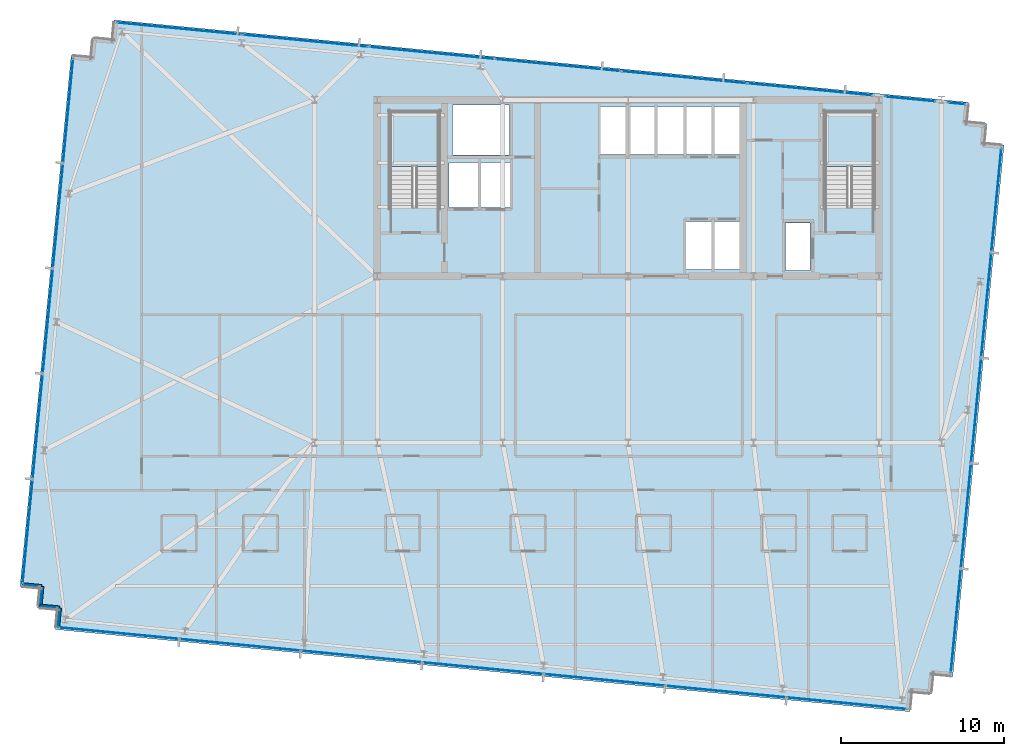
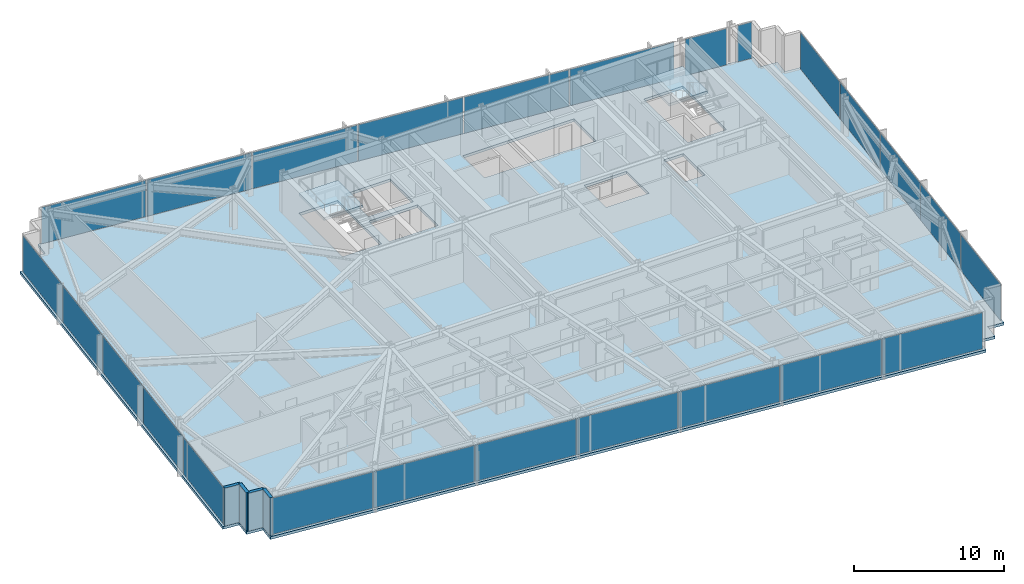
# One storey, part 28 of 37: 25 plates, 4 walls, 3 slabs, 8 elements without a shape of their own.
"""IFC4 building model written with IfcOpenShell, lengths in metres."""

from ifc_helpers import new_model, si_unit, direction, frame, frame_2d, origin, origin_2d, place, context, subcontext, project, spatial, polyline, rectangle, outline, extrude, material, layer, layer_set, type_object, element, aggregate, save


model = new_model("IFC4")

# Units and contexts
model_context = context("Model", 3, precision=1e-05, world=origin(), true_north=direction((0.0, 1.0)))
body_context = subcontext(model_context, "Body", "Model", "MODEL_VIEW")
ifc_project = project(units=[si_unit("LENGTHUNIT", "METRE"), si_unit("AREAUNIT", "SQUARE_METRE"), si_unit("VOLUMEUNIT", "CUBIC_METRE"), si_unit("PLANEANGLEUNIT", "RADIAN"), si_unit("MASSUNIT", "GRAM", prefix="KILO")], contexts=[model_context])

# Site, building, storey
site_placement = place(None, origin())
site = spatial("IfcSite", under=ifc_project, at=site_placement, CompositionType="ELEMENT")
building_placement = place(site_placement, origin())
building = spatial("IfcBuilding", under=site, at=building_placement, Name="Yelkora Congress Tower", CompositionType="ELEMENT")
storey_placement = place(building_placement, frame((0.0, 0.0, 168.800048828125)))
storey = spatial("IfcBuildingStorey", under=building, at=storey_placement, Name="L46", CompositionType="ELEMENT", Elevation=168.800048828125)

# Curtain wall, plates
ifc_material_1 = material(Name="Anodised aluminium and insulated glass", Category="aluminium")
curtain_wall_type = type_object("IfcCurtainWallType", Name="CW-SYS-B3", PredefinedType="NOTDEFINED", material=ifc_material_1)
curtain_wall_1_placement = place(storey_placement, origin())
curtain_wall_1 = element("IfcCurtainWall", 1, at=curtain_wall_1_placement, inside=storey, type_object=curtain_wall_type, Name="L46 Unitised Curtain Wall 5", PredefinedType="NOTDEFINED")
ifc_material_2 = material(Name="Acoustic laminated hotel glass unit B3", Category="glass")
ifc_layer_1 = layer(ifc_material_2, 0.0419921875)
ifc_layer_set_1 = layer_set([ifc_layer_1], Name="Acoustic laminated hotel glass unit B3")
plate_type = type_object("IfcPlateType", Name="PLT-PN-B3", PredefinedType="CURTAIN_PANEL", material=ifc_layer_set_1)
plate_1_placement = place(storey_placement, frame((1.61572265625, 19.75244140625, 0.06005859375), z_axis=(0.0, 0.0, 1.0), x_axis=(0.095845294465, 0.995396242473, 0.0)))
plate_1 = element("IfcPlate", 2, at=plate_1_placement, type_object=plate_type, Name="CW-B3 panel 1.1", PredefinedType="CURTAIN_PANEL", context=body_context, shape_type="SweptSolid", body=[
    extrude(rectangle(XDim=6.37890625, YDim=0.0419921875, at=origin_2d()), origin(), (0.0, 0.0, 1.0), 2.9599609375),
])
plate_2_placement = place(storey_placement, frame((2.235595703125, 26.189208984375, 0.06005859375), z_axis=(0.0, 0.0, 1.0), x_axis=(0.095845294465, 0.995396242473, 0.0)))
plate_2 = element("IfcPlate", 3, at=plate_2_placement, type_object=plate_type, Name="CW-B3 panel 2.1", PredefinedType="CURTAIN_PANEL", context=body_context, shape_type="SweptSolid", body=[
    extrude(rectangle(XDim=6.4140625, YDim=0.0419921875, at=origin_2d()), origin(), (0.0, 0.0, 1.0), 2.9599609375),
])
plate_3_placement = place(storey_placement, frame((2.85693359375, 32.643310546875, 0.06005859375), z_axis=(0.0, 0.0, 1.0), x_axis=(0.095845294465, 0.995396242473, 0.0)))
plate_3 = element("IfcPlate", 4, at=plate_3_placement, type_object=plate_type, Name="CW-B3 panel 3.1", PredefinedType="CURTAIN_PANEL", context=body_context, shape_type="SweptSolid", body=[
    extrude(rectangle(XDim=6.4140625, YDim=0.0419921875, at=origin_2d()), origin(), (0.0, 0.0, 1.0), 2.9599609375),
])
plate_4_placement = place(storey_placement, frame((3.478515625, 39.097412109375, 0.06005859375), z_axis=(0.0, 0.0, 1.0), x_axis=(0.095845294465, 0.995396242473, 0.0)))
plate_4 = element("IfcPlate", 5, at=plate_4_placement, type_object=plate_type, Name="CW-B3 panel 4.1", PredefinedType="CURTAIN_PANEL", context=body_context, shape_type="SweptSolid", body=[
    extrude(rectangle(XDim=6.4140625, YDim=0.0419921875, at=origin_2d()), origin(), (0.0, 0.0, 1.0), 2.9599609375),
])
plate_5_placement = place(storey_placement, frame((4.09814453125, 45.5341796875, 0.06005859375), z_axis=(0.0, 0.0, 1.0), x_axis=(0.095845294465, 0.995396242473, 0.0)))
plate_5 = element("IfcPlate", 6, at=plate_5_placement, type_object=plate_type, Name="CW-B3 panel 5.1", PredefinedType="CURTAIN_PANEL", context=body_context, shape_type="SweptSolid", body=[
    extrude(rectangle(XDim=6.37890625, YDim=0.0419921875, at=origin_2d()), origin(), (0.0, 0.0, 1.0), 2.9599609375),
])
aggregate(curtain_wall_1, [plate_1, plate_2, plate_3, plate_4, plate_5])

curtain_wall_2_placement = place(storey_placement, origin())
curtain_wall_2 = element("IfcCurtainWall", 7, at=curtain_wall_2_placement, inside=storey, type_object=curtain_wall_type, Name="L46 Unitised Curtain Wall 10 (1)", PredefinedType="NOTDEFINED")
plate_6_placement = place(storey_placement, frame((10.913818359375, 50.5634765625, 0.06005859375), z_axis=(0.0, 0.0, 1.0), x_axis=(0.995396293823, -0.095844761168, 0.0)))
plate_6 = element("IfcPlate", 8, at=plate_6_placement, type_object=plate_type, Name="CW-B3 panel 1.1", PredefinedType="CURTAIN_PANEL", context=body_context, shape_type="SweptSolid", body=[
    extrude(rectangle(XDim=7.664306640625, YDim=0.0419921875, at=origin_2d()), origin(), (0.0, 0.0, 1.0), 2.9599609375),
])
plate_7_placement = place(storey_placement, frame((18.6298828125, 49.820556640625, 0.06005859375), z_axis=(0.0, 0.0, 1.0), x_axis=(0.995396293823, -0.095844761168, 0.0)))
plate_7 = element("IfcPlate", 9, at=plate_7_placement, type_object=plate_type, Name="CW-B3 panel 2.1", PredefinedType="CURTAIN_PANEL", context=body_context, shape_type="SweptSolid", body=[
    extrude(rectangle(XDim=7.69921875, YDim=0.0419921875, at=origin_2d()), origin(), (0.0, 0.0, 1.0), 2.9599609375),
])
plate_8_placement = place(storey_placement, frame((26.363525390625, 49.075927734375, 0.06005859375), z_axis=(0.0, 0.0, 1.0), x_axis=(0.995396293823, -0.095844761168, 0.0)))
plate_8 = element("IfcPlate", 10, at=plate_8_placement, type_object=plate_type, Name="CW-B3 panel 3.1", PredefinedType="CURTAIN_PANEL", context=body_context, shape_type="SweptSolid", body=[
    extrude(rectangle(XDim=7.69921875, YDim=0.0419921875, at=origin_2d()), origin(), (0.0, 0.0, 1.0), 2.9599609375),
])
plate_9_placement = place(storey_placement, frame((34.09716796875, 48.331298828125, 0.06005859375), z_axis=(0.0, 0.0, 1.0), x_axis=(0.995396293823, -0.095844761168, 0.0)))
plate_9 = element("IfcPlate", 11, at=plate_9_placement, type_object=plate_type, Name="CW-B3 panel 4.1", PredefinedType="CURTAIN_PANEL", context=body_context, shape_type="SweptSolid", body=[
    extrude(rectangle(XDim=7.69921875, YDim=0.0419921875, at=origin_2d()), origin(), (0.0, 0.0, 1.0), 2.9599609375),
])
plate_10_placement = place(storey_placement, frame((41.83056640625, 47.586669921875, 0.06005859375), z_axis=(0.0, 0.0, 1.0), x_axis=(0.995396293823, -0.095844761168, 0.0)))
plate_10 = element("IfcPlate", 12, at=plate_10_placement, type_object=plate_type, Name="CW-B3 panel 5.1", PredefinedType="CURTAIN_PANEL", context=body_context, shape_type="SweptSolid", body=[
    extrude(rectangle(XDim=7.69921875, YDim=0.0419921875, at=origin_2d()), origin(), (0.0, 0.0, 1.0), 2.9599609375),
])
plate_11_placement = place(storey_placement, frame((49.546875, 46.84375, 0.06005859375), z_axis=(0.0, 0.0, 1.0), x_axis=(0.995396293823, -0.095844761168, 0.0)))
plate_11 = element("IfcPlate", 13, at=plate_11_placement, type_object=plate_type, Name="CW-B3 panel 6.1", PredefinedType="CURTAIN_PANEL", context=body_context, shape_type="SweptSolid", body=[
    extrude(rectangle(XDim=7.664306640625, YDim=0.0419921875, at=origin_2d()), origin(), (0.0, 0.0, 1.0), 2.9599609375),
])
aggregate(curtain_wall_2, [plate_6, plate_7, plate_8, plate_9, plate_10, plate_11])

# Curtain wall, plate
curtain_wall_3_placement = place(storey_placement, origin())
curtain_wall_3 = element("IfcCurtainWall", 14, at=curtain_wall_3_placement, inside=storey, type_object=curtain_wall_type, Name="L46 Unitised Curtain Wall 10 (2)", PredefinedType="NOTDEFINED")
plate_12_placement = place(storey_placement, frame((55.679931640625, 46.253173828125, 0.06005859375), z_axis=(0.0, 0.0, 1.0), x_axis=(0.995395952188, -0.095848309157, 0.0)))
plate_12 = element("IfcPlate", 15, at=plate_12_placement, type_object=plate_type, Name="CW-B3 panel 1.1", PredefinedType="CURTAIN_PANEL", context=body_context, shape_type="SweptSolid", body=[
    extrude(rectangle(XDim=3.056640625, YDim=0.0419921875, at=origin_2d()), origin(), (0.0, 0.0, 1.0), 2.9599609375),
])
aggregate(curtain_wall_3, [plate_12])

curtain_wall_4_placement = place(storey_placement, origin())
curtain_wall_4 = element("IfcCurtainWall", 16, at=curtain_wall_4_placement, inside=storey, type_object=curtain_wall_type, Name="L46 Unitised Curtain Wall 10 (3)", PredefinedType="NOTDEFINED")
plate_13_placement = place(storey_placement, frame((58.518798828125, 45.979736328125, 0.06005859375), z_axis=(0.0, 0.0, 1.0), x_axis=(0.995395569658, -0.095852281686, 0.0)))
plate_13 = element("IfcPlate", 17, at=plate_13_placement, type_object=plate_type, Name="CW-B3 panel 1.1", PredefinedType="CURTAIN_PANEL", context=body_context, shape_type="SweptSolid", body=[
    extrude(rectangle(XDim=1.045166015625, YDim=0.0419921875, at=origin_2d()), origin(), (0.0, 0.0, 1.0), 2.9599609375),
])
aggregate(curtain_wall_4, [plate_13])

# Curtain wall, plates
curtain_wall_5_placement = place(storey_placement, origin())
curtain_wall_5 = element("IfcCurtainWall", 18, at=curtain_wall_5_placement, inside=storey, type_object=curtain_wall_type, Name="L46 Unitised Curtain Wall 15", PredefinedType="NOTDEFINED")
plate_14_placement = place(storey_placement, frame((60.955322265625, 40.0595703125, 0.06005859375), z_axis=(0.0, 0.0, 1.0), x_axis=(-0.095841944023, -0.995396565076, 0.0)))
plate_14 = element("IfcPlate", 19, at=plate_14_placement, type_object=plate_type, Name="CW-B3 panel 1.1", PredefinedType="CURTAIN_PANEL", context=body_context, shape_type="SweptSolid", body=[
    extrude(rectangle(XDim=6.37890625, YDim=0.0419921875, at=origin_2d()), origin(), (0.0, 0.0, 1.0), 2.9599609375),
])
plate_15_placement = place(storey_placement, frame((60.33544921875, 33.622802734375, 0.06005859375), z_axis=(0.0, 0.0, 1.0), x_axis=(-0.095841944023, -0.995396565076, 0.0)))
plate_15 = element("IfcPlate", 20, at=plate_15_placement, type_object=plate_type, Name="CW-B3 panel 2.1", PredefinedType="CURTAIN_PANEL", context=body_context, shape_type="SweptSolid", body=[
    extrude(rectangle(XDim=6.4140625, YDim=0.0419921875, at=origin_2d()), origin(), (0.0, 0.0, 1.0), 2.9599609375),
])
plate_16_placement = place(storey_placement, frame((59.714111328125, 27.168701171875, 0.06005859375), z_axis=(0.0, 0.0, 1.0), x_axis=(-0.095841944023, -0.995396565076, 0.0)))
plate_16 = element("IfcPlate", 21, at=plate_16_placement, type_object=plate_type, Name="CW-B3 panel 3.1", PredefinedType="CURTAIN_PANEL", context=body_context, shape_type="SweptSolid", body=[
    extrude(rectangle(XDim=6.4140625, YDim=0.0419921875, at=origin_2d()), origin(), (0.0, 0.0, 1.0), 2.9599609375),
])
plate_17_placement = place(storey_placement, frame((59.092529296875, 20.71435546875, 0.06005859375), z_axis=(0.0, 0.0, 1.0), x_axis=(-0.095841944023, -0.995396565076, 0.0)))
plate_17 = element("IfcPlate", 22, at=plate_17_placement, type_object=plate_type, Name="CW-B3 panel 4.1", PredefinedType="CURTAIN_PANEL", context=body_context, shape_type="SweptSolid", body=[
    extrude(rectangle(XDim=6.4140625, YDim=0.0419921875, at=origin_2d()), origin(), (0.0, 0.0, 1.0), 2.9599609375),
])
plate_18_placement = place(storey_placement, frame((58.472900390625, 14.277587890625, 0.06005859375), z_axis=(0.0, 0.0, 1.0), x_axis=(-0.095841944023, -0.995396565076, 0.0)))
plate_18 = element("IfcPlate", 23, at=plate_18_placement, type_object=plate_type, Name="CW-B3 panel 5.1", PredefinedType="CURTAIN_PANEL", context=body_context, shape_type="SweptSolid", body=[
    extrude(rectangle(XDim=6.37890625, YDim=0.0419921875, at=origin_2d()), origin(), (0.0, 0.0, 1.0), 2.9599609375),
])
aggregate(curtain_wall_5, [plate_14, plate_15, plate_16, plate_17, plate_18])

curtain_wall_6_placement = place(storey_placement, origin())
curtain_wall_6 = element("IfcCurtainWall", 24, at=curtain_wall_6_placement, inside=storey, type_object=curtain_wall_type, Name="L46 Unitised Curtain Wall 20", PredefinedType="NOTDEFINED")
plate_19_placement = place(storey_placement, frame((51.803955078125, 9.234130859375, 0.06005859375), z_axis=(0.0, 0.0, 1.0), x_axis=(-0.995396301573, 0.095844680679, 0.0)))
plate_19 = element("IfcPlate", 25, at=plate_19_placement, type_object=plate_type, Name="CW-B3 panel 1.1", PredefinedType="CURTAIN_PANEL", context=body_context, shape_type="SweptSolid", body=[
    extrude(rectangle(XDim=7.369384765625, YDim=0.0419921875, at=origin_2d()), origin(), (0.0, 0.0, 1.0), 2.9599609375),
])
plate_20_placement = place(storey_placement, frame((44.381591796875, 9.948974609375, 0.06005859375), z_axis=(0.0, 0.0, 1.0), x_axis=(-0.995396301573, 0.095844680679, 0.0)))
plate_20 = element("IfcPlate", 26, at=plate_20_placement, type_object=plate_type, Name="CW-B3 panel 2.1", PredefinedType="CURTAIN_PANEL", context=body_context, shape_type="SweptSolid", body=[
    extrude(rectangle(XDim=7.404296875, YDim=0.0419921875, at=origin_2d()), origin(), (0.0, 0.0, 1.0), 2.9599609375),
])
plate_21_placement = place(storey_placement, frame((36.941650390625, 10.665283203125, 0.06005859375), z_axis=(0.0, 0.0, 1.0), x_axis=(-0.995396301573, 0.095844680679, 0.0)))
plate_21 = element("IfcPlate", 27, at=plate_21_placement, type_object=plate_type, Name="CW-B3 panel 3.1", PredefinedType="CURTAIN_PANEL", context=body_context, shape_type="SweptSolid", body=[
    extrude(rectangle(XDim=7.404296875, YDim=0.0419921875, at=origin_2d()), origin(), (0.0, 0.0, 1.0), 2.9599609375),
])
plate_22_placement = place(storey_placement, frame((29.501708984375, 11.381591796875, 0.06005859375), z_axis=(0.0, 0.0, 1.0), x_axis=(-0.995396301573, 0.095844680679, 0.0)))
plate_22 = element("IfcPlate", 28, at=plate_22_placement, type_object=plate_type, Name="CW-B3 panel 4.1", PredefinedType="CURTAIN_PANEL", context=body_context, shape_type="SweptSolid", body=[
    extrude(rectangle(XDim=7.404296875, YDim=0.0419921875, at=origin_2d()), origin(), (0.0, 0.0, 1.0), 2.9599609375),
])
plate_23_placement = place(storey_placement, frame((22.06201171875, 12.097900390625, 0.06005859375), z_axis=(0.0, 0.0, 1.0), x_axis=(-0.995396301573, 0.095844680679, 0.0)))
plate_23 = element("IfcPlate", 29, at=plate_23_placement, type_object=plate_type, Name="CW-B3 panel 5.1", PredefinedType="CURTAIN_PANEL", context=body_context, shape_type="SweptSolid", body=[
    extrude(rectangle(XDim=7.404296875, YDim=0.0419921875, at=origin_2d()), origin(), (0.0, 0.0, 1.0), 2.9599609375),
])
plate_24_placement = place(storey_placement, frame((14.6220703125, 12.814453125, 0.06005859375), z_axis=(0.0, 0.0, 1.0), x_axis=(-0.995396301573, 0.095844680679, 0.0)))
plate_24 = element("IfcPlate", 30, at=plate_24_placement, type_object=plate_type, Name="CW-B3 panel 6.1", PredefinedType="CURTAIN_PANEL", context=body_context, shape_type="SweptSolid", body=[
    extrude(rectangle(XDim=7.404296875, YDim=0.0419921875, at=origin_2d()), origin(), (0.0, 0.0, 1.0), 2.9599609375),
])
plate_25_placement = place(storey_placement, frame((7.199462890625, 13.529052734375, 0.06005859375), z_axis=(0.0, 0.0, 1.0), x_axis=(-0.995396301573, 0.095844680679, 0.0)))
plate_25 = element("IfcPlate", 31, at=plate_25_placement, type_object=plate_type, Name="CW-B3 panel 7.1", PredefinedType="CURTAIN_PANEL", context=body_context, shape_type="SweptSolid", body=[
    extrude(rectangle(XDim=7.369384765625, YDim=0.0419921875, at=origin_2d()), origin(), (0.0, 0.0, 1.0), 2.9599609375),
])
aggregate(curtain_wall_6, [plate_19, plate_20, plate_21, plate_22, plate_23, plate_24, plate_25])

# Stair, slab
ifc_material_3 = material(Name="Concrete C40/50", Category="concrete")
stair_type = type_object("IfcStairType", Name="STAIR-HT-1420-R20-165", PredefinedType="HALF_TURN_STAIR", material=ifc_material_3)
stair_1_placement = place(storey_placement, origin())
stair_1 = element("IfcStair", 32, at=stair_1_placement, inside=storey, type_object=stair_type, Name="West Core Protected Exit Stair ST-01 (L46)", PredefinedType="HALF_TURN_STAIR")
ifc_layer_2 = layer(ifc_material_3, 0.219970703125)
ifc_layer_set_2 = layer_set([ifc_layer_2], Name="Concrete C40/50")
slab_type_1 = type_object("IfcSlabType", Name="SLAB-LANDING-220", PredefinedType="LANDING", material=ifc_layer_set_2)
slab_1_placement = place(storey_placement, frame((0.0, 0.0, 1.429931640625)))
slab_1 = element("IfcSlab", 33, at=slab_1_placement, type_object=slab_type_1, Name="ST-01 L46 Half Landing 1", PredefinedType="LANDING", context=body_context, shape_type="SweptSolid", body=[
    extrude(outline(polyline([(26.820068359375, 42.1201171875), (26.820068359375, 45.469970703125), (23.820068359375, 45.469970703125), (23.820068359375, 42.1201171875), (26.820068359375, 42.1201171875)])), origin(), (0.0, 0.0, 1.0), 0.219970703125),
])
aggregate(stair_1, [slab_1])

stair_2_placement = place(storey_placement, origin())
stair_2 = element("IfcStair", 34, at=stair_2_placement, inside=storey, type_object=stair_type, Name="East Core Protected Exit Stair ST-02 (L46)", PredefinedType="HALF_TURN_STAIR")
slab_2_placement = place(storey_placement, frame((0.0, 0.0, 1.429931640625)))
slab_2 = element("IfcSlab", 35, at=slab_2_placement, type_object=slab_type_1, Name="ST-02 L46 Half Landing 1", PredefinedType="LANDING", context=body_context, shape_type="SweptSolid", body=[
    extrude(outline(polyline([(53.4599609375, 42.1201171875), (53.4599609375, 45.469970703125), (50.4599609375, 45.469970703125), (50.4599609375, 42.1201171875), (53.4599609375, 42.1201171875)])), origin(), (0.0, 0.0, 1.0), 0.219970703125),
])
aggregate(stair_2, [slab_2])

# Slab
ifc_layer_3 = layer(ifc_material_3, 0.219970703125)
ifc_layer_set_3 = layer_set([ifc_layer_3], Name="Concrete C40/50")
slab_type_2 = type_object("IfcSlabType", Name="SLAB-TWR-220", PredefinedType="FLOOR", material=ifc_layer_set_3)
slab_3_placement = place(storey_placement, frame((0.0, 0.0, -0.219970703125)))
element("IfcSlab", 36, at=slab_3_placement, inside=storey, type_object=slab_type_2, Name="L46 Structural Floor Slab", PredefinedType="FLOOR", context=body_context, shape_type="SweptSolid", body=[
    extrude(outline(polyline([(3.309326171875, 13.762939453125), (55.667236328125, 8.721435546875), (55.7822265625, 9.916015625), (56.976806640625, 9.801025390625), (57.091796875, 10.99560546875), (58.286376953125, 10.88037109375), (61.42041015625, 43.429931640625), (60.225830078125, 43.544921875), (60.341064453125, 44.739501953125), (59.146484375, 44.8544921875), (59.261474609375, 46.048828125), (6.90380859375, 51.09033203125), (6.78857421875, 49.89599609375), (5.59423828125, 50.010986328125), (5.479248046875, 48.81640625), (4.28466796875, 48.931396484375), (1.150390625, 16.382080078125), (2.344970703125, 16.26708984375), (2.22998046875, 15.072509765625), (3.424560546875, 14.95751953125), (3.309326171875, 13.762939453125)]), holes=[polyline([(23.820068359375, 39.6298828125), (26.820068359375, 39.6298828125), (26.820068359375, 45.469970703125), (23.820068359375, 45.469970703125), (23.820068359375, 39.6298828125)]), polyline([(50.4599609375, 39.6298828125), (53.4599609375, 39.6298828125), (53.4599609375, 45.469970703125), (50.4599609375, 45.469970703125), (50.4599609375, 39.6298828125)]), polyline([(48.050048828125, 35.75), (49.550048828125, 35.75), (49.550048828125, 38.64990234375), (48.050048828125, 38.64990234375), (48.050048828125, 35.75)]), polyline([(36.64990234375, 42.85009765625), (45.25, 42.85009765625), (45.25, 45.800048828125), (36.64990234375, 45.800048828125), (36.64990234375, 42.85009765625)]), polyline([(41.949951171875, 35.800048828125), (45.25, 35.800048828125), (45.25, 38.75), (41.949951171875, 38.75), (41.949951171875, 35.800048828125)]), polyline([(27.419921875, 39.60009765625), (31.179931640625, 39.60009765625), (31.179931640625, 42.35009765625), (27.419921875, 42.35009765625), (27.419921875, 39.60009765625)]), polyline([(27.64990234375, 42.820068359375), (31.1201171875, 42.820068359375), (31.1201171875, 45.8798828125), (27.64990234375, 45.8798828125), (27.64990234375, 42.820068359375)])]), origin(), (0.0, 0.0, 1.0), 0.219970703125),
])

# Walls
ifc_layer_4 = layer(ifc_material_3, 0.239990234375)
ifc_layer_set_4 = layer_set([ifc_layer_4], Name="Concrete C40/50")
wall_type = type_object("IfcWallType", Name="WALL-EXT-LIMESTONE-240", PredefinedType="SOLIDWALL", material=ifc_layer_set_4)
for number, where, z_axis, x_axis, name in (
    (37, (3.462158203125, 13.888916015625, 0.0), (0.0, 0.0, 1.0), (0.096018626938, 0.995379537303, 0.0), "L46 Serrated Corner Limestone Pier 1"),
    (38, (3.577392578125, 15.08349609375, 0.0), (0.0, 0.0, 1.0), (-0.995398960025, 0.095817067274, 0.0), "L46 Serrated Corner Limestone Pier 2"),
):
    element("IfcWall", number, at=place(storey_placement, frame(where, z_axis=z_axis, x_axis=x_axis)), inside=storey, type_object=wall_type, Name=name, PredefinedType="SOLIDWALL", context=body_context, shape_type="SweptSolid", body=[
        extrude(rectangle(XDim=1.2001953125, YDim=0.239990234375, at=frame_2d((0.60009765625, 0.0))), origin(), (0.0, 0.0, 1.0), 3.079833984375),
    ])
wall_1_placement = place(storey_placement, frame((2.3828125, 15.198486328125, 0.0), z_axis=(0.0, 0.0, 1.0), x_axis=(0.095836473879, 0.995397091755, 0.0)))
element("IfcWall", 39, at=wall_1_placement, inside=storey, type_object=wall_type, Name="L46 Serrated Corner Limestone Pier 3", PredefinedType="SOLIDWALL", context=body_context, shape_type="SweptSolid", body=[
    extrude(rectangle(XDim=1.199951171875, YDim=0.239990234375, at=frame_2d((0.60009765625, 0.0))), origin(), (0.0, 0.0, 1.0), 3.079833984375),
])
wall_2_placement = place(storey_placement, frame((2.497802734375, 16.392822265625, 0.0), z_axis=(0.0, 0.0, 1.0), x_axis=(-0.995398960025, 0.095817067274, 0.0)))
element("IfcWall", 40, at=wall_2_placement, inside=storey, type_object=wall_type, Name="L46 Serrated Corner Limestone Pier 4", PredefinedType="SOLIDWALL", context=body_context, shape_type="SweptSolid", body=[
    extrude(rectangle(XDim=1.2001953125, YDim=0.239990234375, at=frame_2d((0.60009765625, 0.0))), origin(), (0.0, 0.0, 1.0), 3.079833984375),
])

save(model, "model.ifc")
